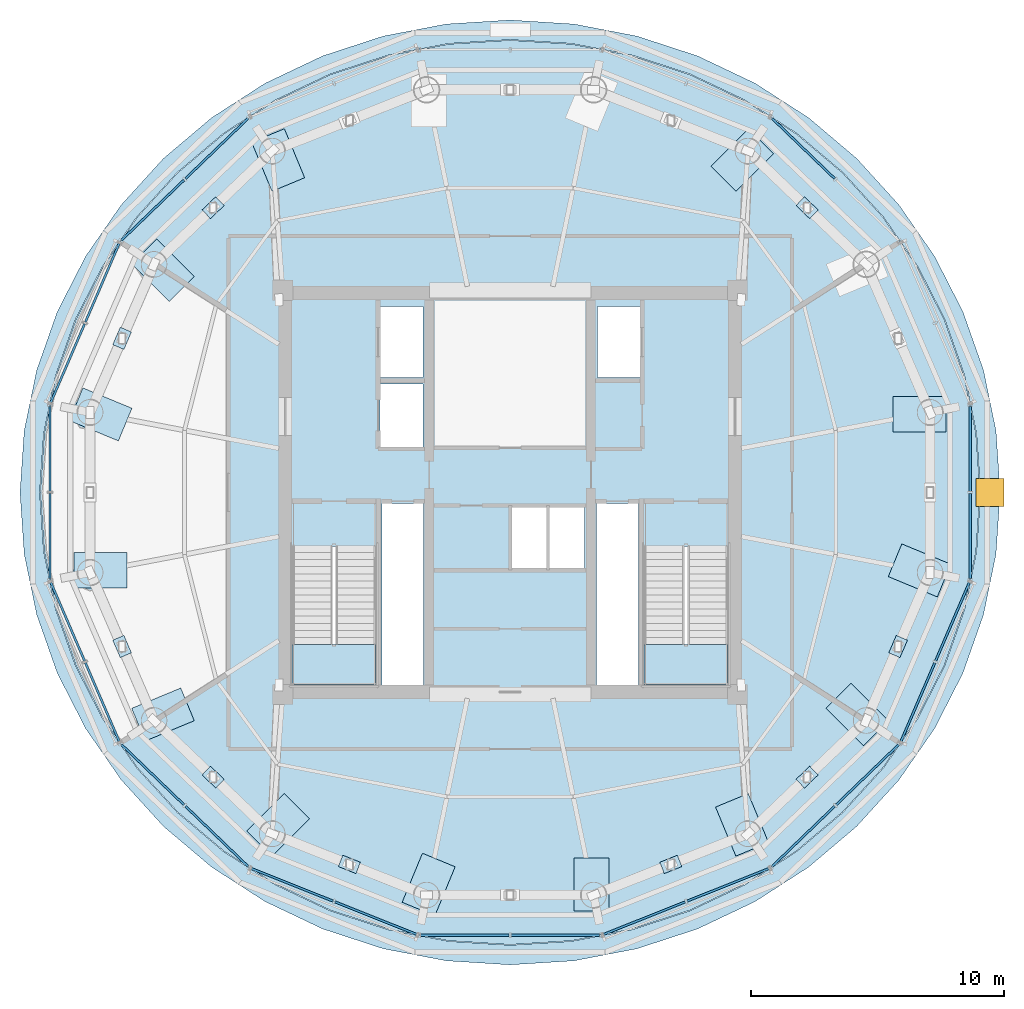
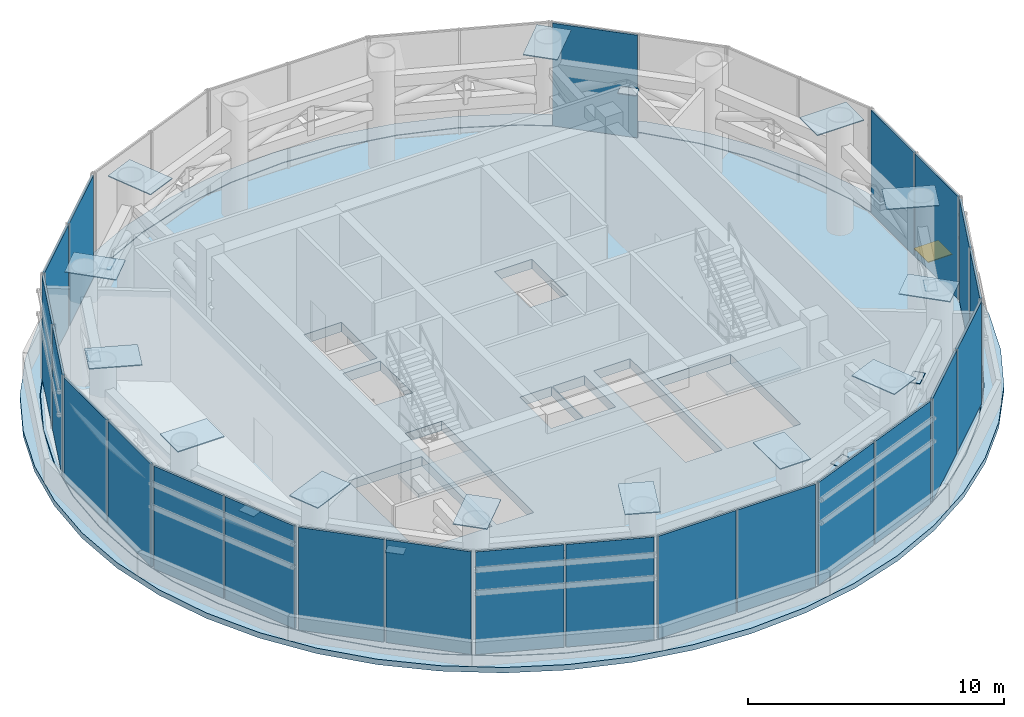
# One storey, part 15 of 21: 45 plates, 4 slabs, 1 door, 1 opening, 14 elements without a shape of their own.
"""IFC4 building model written with IfcOpenShell, lengths in metres."""

import ifcopenshell
import ifcopenshell.guid

model = None  # the IFC model being written
_history = None  # IfcOwnerHistory: only IFC2X3 demands one
_inside = {}  # id of a spatial element -> (the spatial element, [elements in it])
_under = {}  # id of a project, library or spatial element -> (it, [spatial elements below it])
_declared = {}  # id of a project -> (the project, [libraries it declares])
_typed = {}  # id of a type object -> (the type object, [elements of that type])
_made_of = {}  # id of a material, layer set ... -> (it, [elements and type objects made of it])


def new_model(schema):
    """Start an empty IFC model of exactly this schema.

    Asked for "IFC4X3", IfcOpenShell would pick the latest addendum, in which some entities
    have other attributes; the version numbers below select the first issue.
    IFC2X3 requires an IfcOwnerHistory on every rooted entity: one is made here for all.
    """
    global model, _history
    if schema == "IFC4X3":
        model = ifcopenshell.file(schema_version=(4, 3, 0, 0))
    else:
        model = ifcopenshell.file(schema=schema)
    _inside.clear()
    _under.clear()
    _declared.clear()
    _typed.clear()
    _made_of.clear()
    _history = None
    if model.schema == "IFC2X3":
        org = make("IfcOrganization", Name="unknown")
        user = make(
            "IfcPersonAndOrganization",
            ThePerson=make("IfcPerson", FamilyName="unknown"),
            TheOrganization=org,
        )
        app = make(
            "IfcApplication",
            ApplicationDeveloper=org,
            Version="unknown",
            ApplicationFullName="unknown",
            ApplicationIdentifier="unknown",
        )
        _history = make(
            "IfcOwnerHistory",
            OwningUser=user,
            OwningApplication=app,
            ChangeAction="ADDED",
            CreationDate=0,
        )
    return model


def make(cls, **values):
    """One entity of the class cls with the attributes given. An attribute that is None is left unset."""
    return model.create_entity(
        cls, **{name: value for name, value in values.items() if value is not None}
    )


def rooted(cls, **values):
    """An entity with a GlobalId (a new one), such as an element, a storey or a relation."""
    return make(cls, GlobalId=ifcopenshell.guid.new(), OwnerHistory=_history, **values)


def si_unit(unit_type, name, prefix=None):
    """IfcSIUnit, for example si_unit("LENGTHUNIT", "METRE", prefix="MILLI")."""
    return make("IfcSIUnit", UnitType=unit_type, Prefix=prefix, Name=name)


def assignment(units):
    """IfcUnitAssignment: the units of a project."""
    return None if units is None else make("IfcUnitAssignment", Units=units)


def point(xyz):
    """IfcCartesianPoint."""
    return None if xyz is None else make("IfcCartesianPoint", Coordinates=xyz)


def direction(xyz):
    """IfcDirection."""
    return None if xyz is None else make("IfcDirection", DirectionRatios=xyz)


def frame(location, z_axis=None, x_axis=None):
    """IfcAxis2Placement3D, a coordinate frame: its origin and axes. An axis left out is left unset."""
    return make(
        "IfcAxis2Placement3D",
        Location=point(location),
        Axis=direction(z_axis),
        RefDirection=direction(x_axis),
    )


def frame_2d(location, x_axis=None):
    """IfcAxis2Placement2D, a coordinate frame in the plane: its origin and x axis."""
    return make(
        "IfcAxis2Placement2D", Location=point(location), RefDirection=direction(x_axis)
    )


def origin():
    """The frame at (0, 0, 0) with its axes left unset."""
    return frame((0.0, 0.0, 0.0))


def origin_2d():
    """The frame at (0, 0) in the plane with its x axis left unset."""
    return frame_2d((0.0, 0.0))


def place(relative_to, where):
    """IfcLocalPlacement: puts the frame where relative to a parent placement (None: the world)."""
    return make(
        "IfcLocalPlacement", PlacementRelTo=relative_to, RelativePlacement=where
    )


def context(
    kind, dimensions, precision=None, world=None, true_north=None, identifier=None
):
    """IfcGeometricRepresentationContext, for example the 3D "Model" context."""
    return make(
        "IfcGeometricRepresentationContext",
        ContextIdentifier=identifier,
        ContextType=kind,
        CoordinateSpaceDimension=dimensions,
        Precision=precision,
        WorldCoordinateSystem=world,
        TrueNorth=true_north,
    )


def subcontext(parent, identifier, kind, view, scale=None):
    """IfcGeometricRepresentationSubContext, for example "Body" below "Model"."""
    return make(
        "IfcGeometricRepresentationSubContext",
        ContextIdentifier=identifier,
        ContextType=kind,
        ParentContext=parent,
        TargetScale=scale,
        TargetView=view,
    )


def project(units=None, contexts=None):
    """IfcProject with its units and contexts."""
    return rooted(
        "IfcProject",
        Name="project",
        RepresentationContexts=contexts,
        UnitsInContext=assignment(units),
    )


def spatial(cls, under=None, at=None, **own):
    """A site, building, storey or space (cls), placed at a placement, below another one or the project."""
    s = rooted(cls, ObjectPlacement=at, **own)
    if under is not None:
        _under.setdefault(under.id(), (under, []))[1].append(s)
    return s


def polyline(points):
    """IfcPolyline through the points."""
    return make("IfcPolyline", Points=[point(p) for p in points])


def profile(cls, at=None, kind="AREA", **sizes):
    """A parametric profile (cls). Its sizes go by their IFC names, for example OverallWidth=200.0."""
    return make(cls, ProfileType=kind, Position=at, **sizes)


def rectangle(**sizes):
    """IfcRectangleProfileDef."""
    return profile("IfcRectangleProfileDef", **sizes)


def outline(outer, holes=None, kind="AREA"):
    """IfcArbitraryClosedProfileDef: a profile drawn as a closed curve; with holes, ...WithVoids."""
    if holes is None:
        return make("IfcArbitraryClosedProfileDef", ProfileType=kind, OuterCurve=outer)
    return make(
        "IfcArbitraryProfileDefWithVoids",
        ProfileType=kind,
        OuterCurve=outer,
        InnerCurves=holes,
    )


def extrude(swept, where, along, depth):
    """IfcExtrudedAreaSolid: the profile swept, set in the frame where, extruded along a direction by depth."""
    return make(
        "IfcExtrudedAreaSolid",
        SweptArea=swept,
        Position=where,
        ExtrudedDirection=direction(along),
        Depth=depth,
    )


def shape(context_of_items, identifier, shape_type, items):
    """IfcShapeRepresentation: the items that make up one representation, for example the "Body"."""
    return make(
        "IfcShapeRepresentation",
        ContextOfItems=context_of_items,
        RepresentationIdentifier=identifier,
        RepresentationType=shape_type,
        Items=items,
    )


def source(mapping_origin, context_of_items, identifier, shape_type, items):
    """IfcRepresentationMap: a shape defined once, which mapped items show again and again."""
    return make(
        "IfcRepresentationMap",
        MappingOrigin=mapping_origin,
        MappedRepresentation=shape(context_of_items, identifier, shape_type, items),
    )


def transform(
    local_origin,
    x_axis=None,
    y_axis=None,
    z_axis=None,
    scale=None,
    scale2=None,
    scale3=None,
    uniform=True,
):
    """IfcCartesianTransformationOperator3D, or its non-uniform kind. x_axis, y_axis, z_axis: its Axis1, 2, 3."""
    if uniform:
        return make(
            "IfcCartesianTransformationOperator3D",
            Axis1=direction(x_axis),
            Axis2=direction(y_axis),
            LocalOrigin=point(local_origin),
            Scale=scale,
            Axis3=direction(z_axis),
        )
    return make(
        "IfcCartesianTransformationOperator3DnonUniform",
        Axis1=direction(x_axis),
        Axis2=direction(y_axis),
        LocalOrigin=point(local_origin),
        Scale=scale,
        Axis3=direction(z_axis),
        Scale2=scale2,
        Scale3=scale3,
    )


def mapped(mapping_source, mapping_target):
    """IfcMappedItem: shows the shape of a source again, moved by a transform."""
    return make(
        "IfcMappedItem", MappingSource=mapping_source, MappingTarget=mapping_target
    )


def material(Name=None, Category=None):
    """IfcMaterial."""
    return make("IfcMaterial", Name=Name, Category=Category)


def layer(
    of_material, thickness, ventilated=None, Name=None, Category=None, Priority=None
):
    """IfcMaterialLayer: one layer of a wall or slab, of a material (None: an air gap)."""
    return make(
        "IfcMaterialLayer",
        Material=of_material,
        LayerThickness=thickness,
        IsVentilated=ventilated,
        Name=Name,
        Category=Category,
        Priority=Priority,
    )


def layer_set(layers, Name=None):
    """IfcMaterialLayerSet."""
    return make("IfcMaterialLayerSet", MaterialLayers=layers, LayerSetName=Name)


def made_of(thing, what):
    """Note that an element or type object is made of a material, layer set ...; save() writes the relation."""
    if what is not None:
        _made_of.setdefault(what.id(), (what, []))[1].append(thing)
    return thing


def type_object(cls, material=None, **own):
    """A type object (cls), such as IfcWallType, which elements share."""
    return made_of(rooted(cls, **own), material)


def element(
    cls,
    number,
    at=None,
    inside=None,
    cuts=None,
    type_object=None,
    material=None,
    context=None,
    identifier="Body",
    shape_type=None,
    held_by="IfcProductDefinitionShape",
    body=None,
    shapes=None,
    **own,
):
    """One element of the class cls, such as IfcWall. Its Tag is "e" and its number.

    at: its placement. inside: the storey or other place that contains it. cuts: it is an
    opening in that element (IfcRelVoidsElement). A single representation is given by context,
    identifier, shape_type and body (its items); several are given by shapes. held_by: the class
    of the entity that holds the representations. save() writes the other relations.
    """
    e = rooted(cls, Tag="e%d" % number, ObjectPlacement=at, **own)
    if body is not None:
        shapes = [shape(context, identifier, shape_type, body)]
    if shapes is not None:
        e.Representation = make(held_by, Representations=shapes)
    if inside is not None:
        _inside.setdefault(inside.id(), (inside, []))[1].append(e)
    if cuts is not None:
        rooted(
            "IfcRelVoidsElement", RelatingBuildingElement=cuts, RelatedOpeningElement=e
        )
    if type_object is not None:
        _typed.setdefault(type_object.id(), (type_object, []))[1].append(e)
    return made_of(e, material)


def fill(opening, filler):
    """IfcRelFillsElement: the door or window that sits in an opening."""
    return rooted(
        "IfcRelFillsElement",
        RelatingOpeningElement=opening,
        RelatedBuildingElement=filler,
    )


def aggregate(whole, parts):
    """IfcRelAggregates: a whole, such as a stair, and the parts it consists of."""
    return rooted("IfcRelAggregates", RelatingObject=whole, RelatedObjects=parts)


def save(model, path):
    """Write the relations noted so far, then the file.

    IfcRelAggregates (storeys below a building ...), IfcRelContainedInSpatialStructure (elements
    in a storey), IfcRelDefinesByType, IfcRelAssociatesMaterial and IfcRelDeclares: one each for
    every whole, place, type object, material and project.
    """
    for whole, parts in _under.values():
        aggregate(whole, parts)
    for where, things in _inside.values():
        rooted(
            "IfcRelContainedInSpatialStructure",
            RelatedElements=things,
            RelatingStructure=where,
        )
    for kind, things in _typed.values():
        rooted("IfcRelDefinesByType", RelatedObjects=things, RelatingType=kind)
    for what, things in _made_of.values():
        rooted("IfcRelAssociatesMaterial", RelatedObjects=things, RelatingMaterial=what)
    for by, libraries in _declared.values():
        rooted("IfcRelDeclares", RelatingContext=by, RelatedDefinitions=libraries)
    model.write(path)


model = new_model("IFC4")

# Units and contexts
model_context = context("Model", 3, precision=1e-05, world=origin(), true_north=direction((-0.2419218956, 0.970295726276)))
body_context = subcontext(model_context, "Body", "Model", "MODEL_VIEW")
ifc_project = project(units=[si_unit("LENGTHUNIT", "METRE"), si_unit("AREAUNIT", "SQUARE_METRE"), si_unit("VOLUMEUNIT", "CUBIC_METRE"), si_unit("PLANEANGLEUNIT", "RADIAN"), si_unit("MASSUNIT", "GRAM", prefix="KILO")], contexts=[model_context])

# Site, building, storey
site_placement = place(None, origin())
site = spatial("IfcSite", under=ifc_project, at=site_placement, CompositionType="ELEMENT")
building_placement = place(site_placement, origin())
building = spatial("IfcBuilding", under=site, at=building_placement, Name="Cobrevalo Terracotta Tower", CompositionType="ELEMENT")
storey_placement = place(building_placement, frame((0.0, 0.0, 300.699951171875)))
storey = spatial("IfcBuildingStorey", under=building, at=storey_placement, Name="L79", CompositionType="ELEMENT", Elevation=300.699951171875)

# Stair, slab
ifc_material_1 = material(Name="Concrete C50", Category="concrete")
stair_type = type_object("IfcStairType", Name="Core protected escape dogleg stair 1600", PredefinedType="HALF_TURN_STAIR", material=ifc_material_1)
stair_1_placement = place(storey_placement, origin())
stair_1 = element("IfcStair", 1, at=stair_1_placement, inside=storey, type_object=stair_type, Name="L79 Protected exit stair ST-1", PredefinedType="HALF_TURN_STAIR")
ifc_layer_1 = layer(ifc_material_1, 0.199951171875)
ifc_layer_set_1 = layer_set([ifc_layer_1], Name="Concrete C50")
slab_type_1 = type_object("IfcSlabType", Name="Reinforced Concrete Stair Landing 200", PredefinedType="LANDING", material=ifc_layer_set_1)
slab_1_placement = place(storey_placement, frame((0.0, 0.0, 2.5)))
slab_1 = element("IfcSlab", 2, at=slab_1_placement, type_object=slab_type_1, Name="ST-1 landing 1", PredefinedType="LANDING", context=body_context, shape_type="SweptSolid", body=[
    extrude(outline(polyline([(29.375, 20.780029296875), (29.375, 19.175048828125), (32.695068359375, 19.175048828125), (32.695068359375, 20.780029296875), (29.375, 20.780029296875)])), origin(), (0.0, 0.0, 1.0), 0.199951171875),
])
aggregate(stair_1, [slab_1])

stair_2_placement = place(storey_placement, origin())
stair_2 = element("IfcStair", 3, at=stair_2_placement, inside=storey, type_object=stair_type, Name="L79 Protected exit stair ST-2", PredefinedType="HALF_TURN_STAIR")
slab_2_placement = place(storey_placement, frame((0.0, 0.0, 2.5)))
slab_2 = element("IfcSlab", 4, at=slab_2_placement, type_object=slab_type_1, Name="ST-2 landing 1", PredefinedType="LANDING", context=body_context, shape_type="SweptSolid", body=[
    extrude(outline(polyline([(43.304931640625, 20.780029296875), (43.304931640625, 19.175048828125), (46.625, 19.175048828125), (46.625, 20.780029296875), (43.304931640625, 20.780029296875)])), origin(), (0.0, 0.0, 1.0), 0.199951171875),
])
aggregate(stair_2, [slab_2])

# Slab
ifc_material_2 = material(Name="Concrete C55", Category="concrete")
ifc_layer_2 = layer(ifc_material_2, 0.449951171875)
ifc_layer_set_2 = layer_set([ifc_layer_2], Name="Concrete C55")
slab_type_2 = type_object("IfcSlabType", Name="Structural transfer deck slab 450 mm", PredefinedType="FLOOR", material=ifc_layer_set_2)
slab_3_placement = place(storey_placement, frame((0.0, 0.0, -0.449951171875)))
element("IfcSlab", 5, at=slab_3_placement, inside=storey, type_object=slab_type_2, Name="L79 indoor elliptical floor slab", PredefinedType="FLOOR", context=body_context, shape_type="SweptSolid", body=[
    extrude(outline(polyline([(56.44091796875, 24.463623046875), (55.96630859375, 22.167236328125), (55.18408203125, 19.949951171875), (54.108154296875, 17.85009765625), (52.75634765625, 15.903076171875), (51.152099609375, 14.142822265625), (49.322998046875, 12.598876953125), (47.300048828125, 11.298095703125), (45.117919921875, 10.262451171875), (42.81396484375, 9.510009765625), (40.427734375, 9.05322265625), (38.0, 8.89990234375), (35.572265625, 9.05322265625), (33.18603515625, 9.510009765625), (30.882080078125, 10.262451171875), (28.699951171875, 11.298095703125), (26.677001953125, 12.598876953125), (24.847900390625, 14.142822265625), (23.24365234375, 15.903076171875), (21.891845703125, 17.85009765625), (20.81591796875, 19.949951171875), (20.03369140625, 22.167236328125), (19.55908203125, 24.463623046875), (19.39990234375, 26.800048828125), (19.55908203125, 29.136474609375), (20.03369140625, 31.432861328125), (20.81591796875, 33.650146484375), (21.891845703125, 35.75), (23.24365234375, 37.69677734375), (24.847900390625, 39.457275390625), (26.677001953125, 41.0009765625), (28.699951171875, 42.3017578125), (30.882080078125, 43.33740234375), (33.18603515625, 44.090087890625), (35.572265625, 44.546875), (38.0, 44.699951171875), (40.427734375, 44.546875), (42.81396484375, 44.090087890625), (45.117919921875, 43.33740234375), (47.300048828125, 42.3017578125), (49.322998046875, 41.0009765625), (51.152099609375, 39.457275390625), (52.75634765625, 37.69677734375), (54.108154296875, 35.75), (55.18408203125, 33.650146484375), (55.96630859375, 31.432861328125), (56.44091796875, 29.136474609375), (56.60009765625, 26.800048828125), (56.44091796875, 24.463623046875)]), holes=[polyline([(32.695068359375, 19.175048828125), (32.695068359375, 24.659912109375), (29.375, 24.659912109375), (29.375, 19.175048828125), (32.695068359375, 19.175048828125)]), polyline([(46.625, 19.175048828125), (46.625, 24.659912109375), (43.304931640625, 24.659912109375), (43.304931640625, 19.175048828125), (46.625, 19.175048828125)]), polyline([(34.574951171875, 26.360107421875), (32.919921875, 26.360107421875), (32.919921875, 19.175048828125), (34.574951171875, 19.175048828125), (34.574951171875, 26.360107421875)]), polyline([(43.080078125, 26.360107421875), (41.425048828125, 26.360107421875), (41.425048828125, 19.175048828125), (43.080078125, 19.175048828125), (43.080078125, 26.360107421875)]), polyline([(39.469970703125, 26.25), (38.0400390625, 26.25), (38.0400390625, 23.800048828125), (39.469970703125, 23.800048828125), (39.469970703125, 26.25)]), polyline([(40.949951171875, 26.25), (39.52001953125, 26.25), (39.52001953125, 23.800048828125), (40.949951171875, 23.800048828125), (40.949951171875, 26.25)]), polyline([(34.550048828125, 31.10009765625), (32.85009765625, 31.10009765625), (32.85009765625, 28.60009765625), (34.550048828125, 28.60009765625), (34.550048828125, 31.10009765625)]), polyline([(34.550048828125, 31.35009765625), (34.550048828125, 34.14990234375), (32.85009765625, 34.14990234375), (32.85009765625, 31.35009765625), (34.550048828125, 31.35009765625)]), polyline([(43.14990234375, 31.35009765625), (43.14990234375, 34.14990234375), (41.449951171875, 34.14990234375), (41.449951171875, 31.35009765625), (43.14990234375, 31.35009765625)])]), origin(), (0.0, 0.0, 1.0), 0.449951171875),
])

# Slab, opening, door
ifc_material_3 = material(Name="Concrete C45", Category="concrete")
ifc_layer_3 = layer(ifc_material_3, 0.260009765625)
ifc_layer_set_3 = layer_set([ifc_layer_3], Name="Concrete C45")
slab_type_3 = type_object("IfcSlabType", Name="Zone setback structural roof slab 260 mm", PredefinedType="ROOF", material=ifc_layer_set_3)
slab_4_placement = place(storey_placement, frame((0.0, 0.0, -0.260009765625)))
slab_4 = element("IfcSlab", 6, at=slab_4_placement, inside=storey, type_object=slab_type_3, Name="L79 zone setback roof collar slab 1", PredefinedType="ROOF", context=body_context, shape_type="SweptSolid", body=[
    extrude(outline(polyline([(57.234130859375, 24.359130859375), (56.739013671875, 21.9599609375), (55.92333984375, 19.643798828125), (54.80078125, 17.449951171875), (53.39111328125, 15.416259765625), (51.7177734375, 13.5771484375), (49.81005859375, 11.96435546875), (47.699951171875, 10.605224609375), (45.424072265625, 9.5234375), (43.02099609375, 8.7373046875), (40.5322265625, 8.260009765625), (38.0, 8.10009765625), (35.4677734375, 8.260009765625), (32.97900390625, 8.7373046875), (30.575927734375, 9.5234375), (28.300048828125, 10.605224609375), (26.18994140625, 11.96435546875), (24.2822265625, 13.5771484375), (22.60888671875, 15.416259765625), (21.19921875, 17.449951171875), (20.07666015625, 19.643798828125), (19.260986328125, 21.9599609375), (18.765869140625, 24.359130859375), (18.60009765625, 26.800048828125), (18.765869140625, 29.24072265625), (19.260986328125, 31.639892578125), (20.07666015625, 33.956298828125), (21.19921875, 36.14990234375), (22.60888671875, 38.183837890625), (24.2822265625, 40.02294921875), (26.18994140625, 41.6357421875), (28.300048828125, 42.99462890625), (30.575927734375, 44.07666015625), (32.97900390625, 44.86279296875), (35.4677734375, 45.340087890625), (38.0, 45.5), (40.5322265625, 45.340087890625), (43.02099609375, 44.86279296875), (45.424072265625, 44.07666015625), (47.699951171875, 42.99462890625), (49.81005859375, 41.6357421875), (51.7177734375, 40.02294921875), (53.39111328125, 38.183837890625), (54.80078125, 36.14990234375), (55.92333984375, 33.956298828125), (56.739013671875, 31.639892578125), (57.234130859375, 29.24072265625), (57.39990234375, 26.800048828125), (57.234130859375, 24.359130859375)]), holes=[polyline([(56.460693359375, 29.138916015625), (55.985595703125, 31.43798828125), (55.20263671875, 33.65771484375), (54.12548828125, 35.760009765625), (52.772216796875, 37.708984375), (51.166259765625, 39.471435546875), (49.335205078125, 41.016845703125), (47.31005859375, 42.319091796875), (45.12548828125, 43.35595703125), (42.819091796875, 44.109375), (40.430419921875, 44.566650390625), (38.0, 44.719970703125), (35.569580078125, 44.566650390625), (33.180908203125, 44.109375), (30.87451171875, 43.35595703125), (28.68994140625, 42.319091796875), (26.664794921875, 41.016845703125), (24.833740234375, 39.471435546875), (23.227783203125, 37.708984375), (21.87451171875, 35.760009765625), (20.79736328125, 33.65771484375), (20.014404296875, 31.43798828125), (19.539306640625, 29.138916015625), (19.3798828125, 26.800048828125), (19.539306640625, 24.4609375), (20.014404296875, 22.161865234375), (20.79736328125, 19.9423828125), (21.87451171875, 17.840087890625), (23.227783203125, 15.89111328125), (24.833740234375, 14.128662109375), (26.664794921875, 12.5830078125), (28.68994140625, 11.28076171875), (30.87451171875, 10.244140625), (33.180908203125, 9.49072265625), (35.569580078125, 9.033203125), (38.0, 8.8798828125), (40.430419921875, 9.033203125), (42.819091796875, 9.49072265625), (45.12548828125, 10.244140625), (47.31005859375, 11.28076171875), (49.335205078125, 12.5830078125), (51.166259765625, 14.128662109375), (52.772216796875, 15.89111328125), (54.12548828125, 17.840087890625), (55.20263671875, 19.9423828125), (55.985595703125, 22.161865234375), (56.460693359375, 24.4609375), (56.6201171875, 26.800048828125), (56.460693359375, 29.138916015625)])]), origin(), (0.0, 0.0, 1.0), 0.260009765625),
])
opening_placement = place(slab_4_placement, frame((57.0, 26.800048828125, 0.0)))
opening = element("IfcOpeningElement", 7, at=opening_placement, cuts=slab_4, Name="Opening ED-04", PredefinedType="OPENING", context=body_context, shape_type="SweptSolid", body=[
    extrude(rectangle(XDim=1.10009765625, YDim=1.10009765625, at=origin_2d()), origin(), (0.0, 0.0, 1.0), 0.260009765625),
])
ifc_material_4 = material(Name="Galvanized powder-coated steel", Category="steel")
door_type = type_object("IfcDoorType", Name="Roof and overrun maintenance access hatch 1100x1100", OperationType="SINGLE_SWING_LEFT", PredefinedType="TRAPDOOR", material=ifc_material_4)
door_placement = place(opening_placement, frame((0.0, 0.0, 0.219970703125)))
door = element("IfcDoor", 8, at=door_placement, inside=storey, type_object=door_type, Name="L79 setback maintenance trapdoor hatch", OperationType="SINGLE_SWING_LEFT", OverallHeight=1.10009765625, OverallWidth=1.10009765625, PredefinedType="TRAPDOOR", context=body_context, shape_type="SweptSolid", body=[
    extrude(rectangle(XDim=1.10009765625, YDim=1.10009765625, at=origin_2d()), origin(), (0.0, 0.0, 1.0), 0.0400390625),
])
fill(opening, door)

# Plates
ifc_material_5 = material(Name="Steel S355", Category="steel")
ifc_layer_4 = layer(ifc_material_5, 0.044921875)
ifc_layer_set_4 = layer_set([ifc_layer_4], Name="Steel S355")
plate_type_1 = type_object("IfcPlateType", Name="Structural Cap Plate 2100x1400x45 (Steel S355)", PredefinedType="USERDEFINED", material=ifc_layer_set_4)
shared_shape_1 = source(origin(), body_context, "Body", "SweptSolid", [
    extrude(rectangle(XDim=2.10009765625, YDim=1.39990234375, at=origin_2d()), origin(), (0.0, 0.0, 1.0), 0.044921875),
])
for number, where, z_axis, x_axis, name in (
    (9, (54.20751953125, 29.88720703125, 5.377685546875), (0.0, 0.0, 1.0), (1.0, 0.0, 0.0), "L79 hollow end cap plate CAP-MCT-L79-01"),
    (10, (47.180908203125, 39.9580078125, 5.377685546875), (0.0, 0.0, 1.0), (0.707106781187, 0.707106781187, 0.0), "L79 hollow end cap plate CAP-MCT-L79-03"),
    (11, (28.819091796875, 39.9580078125, 5.377685546875), (0.0, 0.0, 1.0), (-0.382683432365, 0.923879532511, 0.0), "L79 hollow end cap plate CAP-MCT-L79-06"),
    (12, (24.260009765625, 35.591796875, 5.377685546875), (0.0, 0.0, 1.0), (-0.707106781187, 0.707106781187, 0.0), "L79 hollow end cap plate CAP-MCT-L79-07"),
    (13, (21.79248046875, 29.88720703125, 5.377685546875), (0.0, 0.0, 1.0), (-0.923879532511, 0.382683432365, 0.0), "L79 hollow end cap plate CAP-MCT-L79-08"),
    (14, (21.79248046875, 23.712646484375, 5.377685546875), (0.0, 0.0, 1.0), (-1.0, 0.0, 0.0), "L79 hollow end cap plate CAP-MCT-L79-09"),
    (15, (24.260009765625, 18.008056640625, 5.377685546875), (0.0, 0.0, 1.0), (-0.923879532511, -0.382683432365, 0.0), "L79 hollow end cap plate CAP-MCT-L79-10"),
    (16, (28.819091796875, 13.64208984375, 5.377685546875), (0.0, 0.0, 1.0), (-0.707106781187, -0.707106781187, 0.0), "L79 hollow end cap plate CAP-MCT-L79-11"),
    (17, (34.776123046875, 11.279052734375, 5.377685546875), (0.0, 0.0, 1.0), (-0.382683432365, -0.923879532511, 0.0), "L79 hollow end cap plate CAP-MCT-L79-12"),
    (18, (41.223876953125, 11.279052734375, 5.377685546875), (0.0, 0.0, 1.0), (0.0, -1.0, 0.0), "L79 hollow end cap plate CAP-MCT-L79-13"),
    (19, (47.180908203125, 13.64208984375, 5.377685546875), (0.0, 0.0, 1.0), (0.382683432365, -0.923879532511, 0.0), "L79 hollow end cap plate CAP-MCT-L79-14"),
    (20, (51.739990234375, 18.008056640625, 5.377685546875), (0.0, 0.0, 1.0), (0.707106781187, -0.707106781187, 0.0), "L79 hollow end cap plate CAP-MCT-L79-15"),
    (21, (54.20751953125, 23.712646484375, 5.377685546875), (0.0, 0.0, 1.0), (0.923879532511, -0.382683432365, 0.0), "L79 hollow end cap plate CAP-MCT-L79-16"),
):
    element("IfcPlate", number, at=place(storey_placement, frame(where, z_axis=z_axis, x_axis=x_axis)), inside=storey, type_object=plate_type_1, Name=name, ObjectType="CAP PLATE", PredefinedType="USERDEFINED", context=body_context, shape_type="MappedRepresentation", body=[
        mapped(shared_shape_1, transform((0.0, 0.0, 0.0), scale=1.0)),
    ])
ifc_layer_5 = layer(ifc_material_5, 0.031982421875)
ifc_layer_set_5 = layer_set([ifc_layer_5], Name="Steel S355")
plate_type_2 = type_object("IfcPlateType", Name="Structural Gusset Plate 750x480x32 (Steel S355)", PredefinedType="SHEET", material=ifc_layer_set_5)
shared_shape_2 = source(origin(), body_context, "Body", "SweptSolid", [
    extrude(rectangle(XDim=0.75, YDim=0.47998046875, at=origin_2d()), origin(), (0.0, 0.0, 1.0), 0.031982421875),
])
for number, where, z_axis, x_axis, name in (
    (22, (49.755126953125, 38.069580078125, 3.30908203125), (0.0, 0.0, 1.0), (-0.721855654638, 0.692043650262, 0.0), "L79 hollow end cap plate GUS-BT-L79-02"),
    (23, (26.244873046875, 38.069580078125, 3.30908203125), (0.0, 0.0, 1.0), (-0.721855654638, -0.692043650262, 0.0), "L79 hollow end cap plate GUS-BT-L79-06"),
    (24, (22.64111328125, 32.899169921875, 3.30908203125), (0.0, 0.0, 1.0), (-0.396620838256, -0.91798252198, 0.0), "L79 hollow end cap plate GUS-BT-L79-07"),
    (25, (22.64111328125, 20.700927734375, 3.30908203125), (0.0, 0.0, 1.0), (0.396620838256, -0.91798252198, 0.0), "L79 hollow end cap plate GUS-BT-L79-09"),
    (26, (26.244873046875, 15.5302734375, 3.30908203125), (0.0, 0.0, 1.0), (0.721855654638, -0.692043650262, 0.0), "L79 hollow end cap plate GUS-BT-L79-10"),
    (27, (31.63818359375, 12.075439453125, 3.30908203125), (0.0, 0.0, 1.0), (0.92940078382, -0.369072056697, 0.0), "L79 hollow end cap plate GUS-BT-L79-11"),
    (28, (44.36181640625, 12.075439453125, 3.30908203125), (0.0, 0.0, 1.0), (0.92940078382, 0.369072056697, 0.0), "L79 hollow end cap plate GUS-BT-L79-13"),
    (29, (49.755126953125, 15.5302734375, 3.30908203125), (0.0, 0.0, 1.0), (0.721855654638, 0.692043650262, 0.0), "L79 hollow end cap plate GUS-BT-L79-14"),
    (30, (53.35888671875, 20.700927734375, 3.30908203125), (0.0, 0.0, 1.0), (0.396620838256, 0.91798252198, 0.0), "L79 hollow end cap plate GUS-BT-L79-15"),
):
    element("IfcPlate", number, at=place(storey_placement, frame(where, z_axis=z_axis, x_axis=x_axis)), inside=storey, type_object=plate_type_2, Name=name, PredefinedType="SHEET", context=body_context, shape_type="MappedRepresentation", body=[
        mapped(shared_shape_2, transform((0.0, 0.0, 0.0), scale=1.0)),
    ])

# Curtain wall, plates
ifc_material_6 = material(Name="Anodized aluminium", Category="aluminium")
curtain_wall_type = type_object("IfcCurtainWallType", Name="Belt-truss plant acoustic weather-louvre curtain wall CW-LV", PredefinedType="NOTDEFINED", material=ifc_material_6)
curtain_wall_1_placement = place(storey_placement, origin())
curtain_wall_1 = element("IfcCurtainWall", 31, at=curtain_wall_1_placement, inside=storey, type_object=curtain_wall_type, Name="L79 curtain wall CW-LV-L79-S07", PredefinedType="NOTDEFINED")
ifc_material_7 = material(Name="Anodized aluminium weather louvre", Category="aluminium")
ifc_layer_6 = layer(ifc_material_7, 0.0849609375)
ifc_layer_set_6 = layer_set([ifc_layer_6], Name="Anodized aluminium weather louvre")
plate_type_3 = type_object("IfcPlateType", Name="Plant room acoustic weather-louvre cassette 85 mm", PredefinedType="USERDEFINED", material=ifc_layer_set_6)
shared_shape_3 = source(origin(), body_context, "Body", "SweptSolid", [
    extrude(rectangle(XDim=3.38671875, YDim=0.0849609375, at=origin_2d()), origin(), (0.0, 0.0, 1.0), 4.89990234375),
])
plate_1_placement = place(storey_placement, frame((21.8583984375, 35.09912109375, 0.0400390625), z_axis=(0.0, 0.0, 1.0), x_axis=(-0.395367563103, -0.918522993749, 0.0)))
plate_1 = element("IfcPlate", 32, at=plate_1_placement, type_object=plate_type_3, Name="CW-LV-L79-S07 acoustic louvre panel B01", ObjectType="LOUVRE_PANEL", PredefinedType="USERDEFINED", context=body_context, shape_type="MappedRepresentation", body=[
    mapped(shared_shape_3, transform((0.0, 0.0, 0.0), scale=1.0)),
])
plate_2_placement = place(storey_placement, frame((20.488037109375, 31.9150390625, 0.0400390625), z_axis=(0.0, 0.0, 1.0), x_axis=(-0.395367563103, -0.918522993749, 0.0)))
plate_2 = element("IfcPlate", 33, at=plate_2_placement, type_object=plate_type_3, Name="CW-LV-L79-S07 acoustic louvre panel B02", ObjectType="LOUVRE_PANEL", PredefinedType="USERDEFINED", context=body_context, shape_type="MappedRepresentation", body=[
    mapped(shared_shape_3, transform((0.0, 0.0, 0.0), scale=1.0)),
])
aggregate(curtain_wall_1, [plate_1, plate_2])

curtain_wall_2_placement = place(storey_placement, origin())
curtain_wall_2 = element("IfcCurtainWall", 34, at=curtain_wall_2_placement, inside=storey, type_object=curtain_wall_type, Name="L79 curtain wall CW-LV-L79-S09", PredefinedType="NOTDEFINED")
plate_3_placement = place(storey_placement, frame((20.488037109375, 21.684814453125, 0.0400390625), z_axis=(0.0, 0.0, 1.0), x_axis=(0.395367563103, -0.918522993749, 0.0)))
plate_3 = element("IfcPlate", 35, at=plate_3_placement, type_object=plate_type_3, Name="CW-LV-L79-S09 acoustic louvre panel B01", ObjectType="LOUVRE_PANEL", PredefinedType="USERDEFINED", context=body_context, shape_type="MappedRepresentation", body=[
    mapped(shared_shape_3, transform((0.0, 0.0, 0.0), scale=1.0)),
])
plate_4_placement = place(storey_placement, frame((21.8583984375, 18.500732421875, 0.0400390625), z_axis=(0.0, 0.0, 1.0), x_axis=(0.395367563103, -0.918522993749, 0.0)))
plate_4 = element("IfcPlate", 36, at=plate_4_placement, type_object=plate_type_3, Name="CW-LV-L79-S09 acoustic louvre panel B02", ObjectType="LOUVRE_PANEL", PredefinedType="USERDEFINED", context=body_context, shape_type="MappedRepresentation", body=[
    mapped(shared_shape_3, transform((0.0, 0.0, 0.0), scale=1.0)),
])
aggregate(curtain_wall_2, [plate_3, plate_4])

curtain_wall_3_placement = place(storey_placement, origin())
curtain_wall_3 = element("IfcCurtainWall", 37, at=curtain_wall_3_placement, inside=storey, type_object=curtain_wall_type, Name="L79 curtain wall CW-LV-L79-S15", PredefinedType="NOTDEFINED")
plate_5_placement = place(storey_placement, frame((54.1416015625, 18.500732421875, 0.0400390625), z_axis=(0.0, 0.0, 1.0), x_axis=(0.395367563103, 0.918522993749, 0.0)))
plate_5 = element("IfcPlate", 38, at=plate_5_placement, type_object=plate_type_3, Name="CW-LV-L79-S15 acoustic louvre panel B01", ObjectType="LOUVRE_PANEL", PredefinedType="USERDEFINED", context=body_context, shape_type="MappedRepresentation", body=[
    mapped(shared_shape_3, transform((0.0, 0.0, 0.0), scale=1.0)),
])
plate_6_placement = place(storey_placement, frame((55.511962890625, 21.684814453125, 0.0400390625), z_axis=(0.0, 0.0, 1.0), x_axis=(0.395367563103, 0.918522993749, 0.0)))
plate_6 = element("IfcPlate", 39, at=plate_6_placement, type_object=plate_type_3, Name="CW-LV-L79-S15 acoustic louvre panel B02", ObjectType="LOUVRE_PANEL", PredefinedType="USERDEFINED", context=body_context, shape_type="MappedRepresentation", body=[
    mapped(shared_shape_3, transform((0.0, 0.0, 0.0), scale=1.0)),
])
aggregate(curtain_wall_3, [plate_5, plate_6])

# Curtain wall, plate
curtain_wall_4_placement = place(storey_placement, origin())
curtain_wall_4 = element("IfcCurtainWall", 40, at=curtain_wall_4_placement, inside=storey, type_object=curtain_wall_type, Name="L79 curtain wall CW-LV-L79-S02", PredefinedType="NOTDEFINED")
shared_shape_4 = source(origin(), body_context, "Body", "SweptSolid", [
    extrude(rectangle(XDim=3.435302734375, YDim=0.0849609375, at=origin_2d()), origin(), (0.0, 0.0, 1.0), 4.89990234375),
])
plate_7_placement = place(storey_placement, frame((49.6123046875, 40.411865234375, 0.0400390625), z_axis=(0.0, 0.0, 1.0), x_axis=(-0.720557162725, 0.693395540255, 0.0)))
plate_7 = element("IfcPlate", 41, at=plate_7_placement, type_object=plate_type_3, Name="CW-LV-L79-S02 acoustic louvre panel B02", ObjectType="LOUVRE_PANEL", PredefinedType="USERDEFINED", context=body_context, shape_type="MappedRepresentation", body=[
    mapped(shared_shape_4, transform((0.0, 0.0, 0.0), scale=1.0)),
])
aggregate(curtain_wall_4, [plate_7])

# Curtain wall, plates
curtain_wall_5_placement = place(storey_placement, origin())
curtain_wall_5 = element("IfcCurtainWall", 42, at=curtain_wall_5_placement, inside=storey, type_object=curtain_wall_type, Name="L79 curtain wall CW-LV-L79-S06", PredefinedType="NOTDEFINED")
plate_8_placement = place(storey_placement, frame((26.3876953125, 40.411865234375, 0.0400390625), z_axis=(0.0, 0.0, 1.0), x_axis=(-0.720557162725, -0.693395540255, 0.0)))
plate_8 = element("IfcPlate", 43, at=plate_8_placement, type_object=plate_type_3, Name="CW-LV-L79-S06 acoustic louvre panel B01", ObjectType="LOUVRE_PANEL", PredefinedType="USERDEFINED", context=body_context, shape_type="MappedRepresentation", body=[
    mapped(shared_shape_4, transform((0.0, 0.0, 0.0), scale=1.0)),
])
plate_9_placement = place(storey_placement, frame((23.85498046875, 37.974609375, 0.0400390625), z_axis=(0.0, 0.0, 1.0), x_axis=(-0.720557162725, -0.693395540255, 0.0)))
plate_9 = element("IfcPlate", 44, at=plate_9_placement, type_object=plate_type_3, Name="CW-LV-L79-S06 acoustic louvre panel B02", ObjectType="LOUVRE_PANEL", PredefinedType="USERDEFINED", context=body_context, shape_type="MappedRepresentation", body=[
    mapped(shared_shape_4, transform((0.0, 0.0, 0.0), scale=1.0)),
])
aggregate(curtain_wall_5, [plate_8, plate_9])

curtain_wall_6_placement = place(storey_placement, origin())
curtain_wall_6 = element("IfcCurtainWall", 45, at=curtain_wall_6_placement, inside=storey, type_object=curtain_wall_type, Name="L79 curtain wall CW-LV-L79-S10", PredefinedType="NOTDEFINED")
plate_10_placement = place(storey_placement, frame((23.85498046875, 15.62548828125, 0.0400390625), z_axis=(0.0, 0.0, 1.0), x_axis=(0.720557162725, -0.693395540255, 0.0)))
plate_10 = element("IfcPlate", 46, at=plate_10_placement, type_object=plate_type_3, Name="CW-LV-L79-S10 acoustic louvre panel B01", ObjectType="LOUVRE_PANEL", PredefinedType="USERDEFINED", context=body_context, shape_type="MappedRepresentation", body=[
    mapped(shared_shape_4, transform((0.0, 0.0, 0.0), scale=1.0)),
])
plate_11_placement = place(storey_placement, frame((26.3876953125, 13.18798828125, 0.0400390625), z_axis=(0.0, 0.0, 1.0), x_axis=(0.720557162725, -0.693395540255, 0.0)))
plate_11 = element("IfcPlate", 47, at=plate_11_placement, type_object=plate_type_3, Name="CW-LV-L79-S10 acoustic louvre panel B02", ObjectType="LOUVRE_PANEL", PredefinedType="USERDEFINED", context=body_context, shape_type="MappedRepresentation", body=[
    mapped(shared_shape_4, transform((0.0, 0.0, 0.0), scale=1.0)),
])
aggregate(curtain_wall_6, [plate_10, plate_11])

curtain_wall_7_placement = place(storey_placement, origin())
curtain_wall_7 = element("IfcCurtainWall", 48, at=curtain_wall_7_placement, inside=storey, type_object=curtain_wall_type, Name="L79 curtain wall CW-LV-L79-S14", PredefinedType="NOTDEFINED")
plate_12_placement = place(storey_placement, frame((49.6123046875, 13.18798828125, 0.0400390625), z_axis=(0.0, 0.0, 1.0), x_axis=(0.720557162725, 0.693395540255, 0.0)))
plate_12 = element("IfcPlate", 49, at=plate_12_placement, type_object=plate_type_3, Name="CW-LV-L79-S14 acoustic louvre panel B01", ObjectType="LOUVRE_PANEL", PredefinedType="USERDEFINED", context=body_context, shape_type="MappedRepresentation", body=[
    mapped(shared_shape_4, transform((0.0, 0.0, 0.0), scale=1.0)),
])
plate_13_placement = place(storey_placement, frame((52.14501953125, 15.62548828125, 0.0400390625), z_axis=(0.0, 0.0, 1.0), x_axis=(0.720557162725, 0.693395540255, 0.0)))
plate_13 = element("IfcPlate", 50, at=plate_13_placement, type_object=plate_type_3, Name="CW-LV-L79-S14 acoustic louvre panel B02", ObjectType="LOUVRE_PANEL", PredefinedType="USERDEFINED", context=body_context, shape_type="MappedRepresentation", body=[
    mapped(shared_shape_4, transform((0.0, 0.0, 0.0), scale=1.0)),
])
aggregate(curtain_wall_7, [plate_12, plate_13])

curtain_wall_8_placement = place(storey_placement, origin())
curtain_wall_8 = element("IfcCurtainWall", 51, at=curtain_wall_8_placement, inside=storey, type_object=curtain_wall_type, Name="L79 curtain wall CW-LV-L79-S11", PredefinedType="NOTDEFINED")
shared_shape_5 = source(origin(), body_context, "Body", "SweptSolid", [
    extrude(rectangle(XDim=3.483154296875, YDim=0.0849609375, at=origin_2d()), origin(), (0.0, 0.0, 1.0), 4.89990234375),
])
plate_14_placement = place(storey_placement, frame((29.375244140625, 11.26708984375, 0.0400390625), z_axis=(0.0, 0.0, 1.0), x_axis=(0.928924628611, -0.370268867662, 0.0)))
plate_14 = element("IfcPlate", 52, at=plate_14_placement, type_object=plate_type_3, Name="CW-LV-L79-S11 acoustic louvre panel B01", ObjectType="LOUVRE_PANEL", PredefinedType="USERDEFINED", context=body_context, shape_type="MappedRepresentation", body=[
    mapped(shared_shape_5, transform((0.0, 0.0, 0.0), scale=1.0)),
])
plate_15_placement = place(storey_placement, frame((32.68505859375, 9.94775390625, 0.0400390625), z_axis=(0.0, 0.0, 1.0), x_axis=(0.928924628611, -0.370268867662, 0.0)))
plate_15 = element("IfcPlate", 53, at=plate_15_placement, type_object=plate_type_3, Name="CW-LV-L79-S11 acoustic louvre panel B02", ObjectType="LOUVRE_PANEL", PredefinedType="USERDEFINED", context=body_context, shape_type="MappedRepresentation", body=[
    mapped(shared_shape_5, transform((0.0, 0.0, 0.0), scale=1.0)),
])
aggregate(curtain_wall_8, [plate_14, plate_15])

curtain_wall_9_placement = place(storey_placement, origin())
curtain_wall_9 = element("IfcCurtainWall", 54, at=curtain_wall_9_placement, inside=storey, type_object=curtain_wall_type, Name="L79 curtain wall CW-LV-L79-S13", PredefinedType="NOTDEFINED")
plate_16_placement = place(storey_placement, frame((43.31494140625, 9.94775390625, 0.0400390625), z_axis=(0.0, 0.0, 1.0), x_axis=(0.928924628611, 0.370268867662, 0.0)))
plate_16 = element("IfcPlate", 55, at=plate_16_placement, type_object=plate_type_3, Name="CW-LV-L79-S13 acoustic louvre panel B01", ObjectType="LOUVRE_PANEL", PredefinedType="USERDEFINED", context=body_context, shape_type="MappedRepresentation", body=[
    mapped(shared_shape_5, transform((0.0, 0.0, 0.0), scale=1.0)),
])
plate_17_placement = place(storey_placement, frame((46.624755859375, 11.26708984375, 0.0400390625), z_axis=(0.0, 0.0, 1.0), x_axis=(0.928924628611, 0.370268867662, 0.0)))
plate_17 = element("IfcPlate", 56, at=plate_17_placement, type_object=plate_type_3, Name="CW-LV-L79-S13 acoustic louvre panel B02", ObjectType="LOUVRE_PANEL", PredefinedType="USERDEFINED", context=body_context, shape_type="MappedRepresentation", body=[
    mapped(shared_shape_5, transform((0.0, 0.0, 0.0), scale=1.0)),
])
aggregate(curtain_wall_9, [plate_16, plate_17])

curtain_wall_10_placement = place(storey_placement, origin())
curtain_wall_10 = element("IfcCurtainWall", 57, at=curtain_wall_10_placement, inside=storey, type_object=curtain_wall_type, Name="L79 curtain wall CW-LV-L79-S12", PredefinedType="NOTDEFINED")
shared_shape_6 = source(origin(), body_context, "Body", "SweptSolid", [
    extrude(rectangle(XDim=3.502685546875, YDim=0.0849609375, at=origin_2d()), origin(), (0.0, 0.0, 1.0), 4.89990234375),
])
plate_18_placement = place(storey_placement, frame((36.20849609375, 9.2734375, 0.0400390625), z_axis=(0.0, 0.0, 1.0), x_axis=(1.0, 0.0, 0.0)))
plate_18 = element("IfcPlate", 58, at=plate_18_placement, type_object=plate_type_3, Name="CW-LV-L79-S12 acoustic louvre panel B01", ObjectType="LOUVRE_PANEL", PredefinedType="USERDEFINED", context=body_context, shape_type="MappedRepresentation", body=[
    mapped(shared_shape_6, transform((0.0, 0.0, 0.0), scale=1.0)),
])
plate_19_placement = place(storey_placement, frame((39.79150390625, 9.2734375, 0.0400390625), z_axis=(0.0, 0.0, 1.0), x_axis=(1.0, 0.0, 0.0)))
plate_19 = element("IfcPlate", 59, at=plate_19_placement, type_object=plate_type_3, Name="CW-LV-L79-S12 acoustic louvre panel B02", ObjectType="LOUVRE_PANEL", PredefinedType="USERDEFINED", context=body_context, shape_type="MappedRepresentation", body=[
    mapped(shared_shape_6, transform((0.0, 0.0, 0.0), scale=1.0)),
])
aggregate(curtain_wall_10, [plate_18, plate_19])

curtain_wall_11_placement = place(storey_placement, origin())
curtain_wall_11 = element("IfcCurtainWall", 60, at=curtain_wall_11_placement, inside=storey, type_object=curtain_wall_type, Name="L79 curtain wall CW-LV-L79-S08", PredefinedType="NOTDEFINED")
shared_shape_7 = source(origin(), body_context, "Body", "SweptSolid", [
    extrude(rectangle(XDim=3.3662109375, YDim=0.0849609375, at=origin_2d()), origin(), (0.0, 0.0, 1.0), 4.89990234375),
])
plate_20_placement = place(storey_placement, frame((19.786865234375, 28.523193359375, 0.0400390625), z_axis=(0.0, 0.0, 1.0), x_axis=(0.0, -1.0, 0.0)))
plate_20 = element("IfcPlate", 61, at=plate_20_placement, type_object=plate_type_3, Name="CW-LV-L79-S08 acoustic louvre panel B01", ObjectType="LOUVRE_PANEL", PredefinedType="USERDEFINED", context=body_context, shape_type="MappedRepresentation", body=[
    mapped(shared_shape_7, transform((0.0, 0.0, 0.0), scale=1.0)),
])
plate_21_placement = place(storey_placement, frame((19.786865234375, 25.076904296875, 0.0400390625), z_axis=(0.0, 0.0, 1.0), x_axis=(0.0, -1.0, 0.0)))
plate_21 = element("IfcPlate", 62, at=plate_21_placement, type_object=plate_type_3, Name="CW-LV-L79-S08 acoustic louvre panel B02", ObjectType="LOUVRE_PANEL", PredefinedType="USERDEFINED", context=body_context, shape_type="MappedRepresentation", body=[
    mapped(shared_shape_7, transform((0.0, 0.0, 0.0), scale=1.0)),
])
aggregate(curtain_wall_11, [plate_20, plate_21])

curtain_wall_12_placement = place(storey_placement, origin())
curtain_wall_12 = element("IfcCurtainWall", 63, at=curtain_wall_12_placement, inside=storey, type_object=curtain_wall_type, Name="L79 curtain wall CW-LV-L79-S16", PredefinedType="NOTDEFINED")
plate_22_placement = place(storey_placement, frame((56.213134765625, 25.076904296875, 0.0400390625), z_axis=(0.0, 0.0, 1.0), x_axis=(0.0, 1.0, 0.0)))
plate_22 = element("IfcPlate", 64, at=plate_22_placement, type_object=plate_type_3, Name="CW-LV-L79-S16 acoustic louvre panel B01", ObjectType="LOUVRE_PANEL", PredefinedType="USERDEFINED", context=body_context, shape_type="MappedRepresentation", body=[
    mapped(shared_shape_7, transform((0.0, 0.0, 0.0), scale=1.0)),
])
plate_23_placement = place(storey_placement, frame((56.213134765625, 28.523193359375, 0.0400390625), z_axis=(0.0, 0.0, 1.0), x_axis=(0.0, 1.0, 0.0)))
plate_23 = element("IfcPlate", 65, at=plate_23_placement, type_object=plate_type_3, Name="CW-LV-L79-S16 acoustic louvre panel B02", ObjectType="LOUVRE_PANEL", PredefinedType="USERDEFINED", context=body_context, shape_type="MappedRepresentation", body=[
    mapped(shared_shape_7, transform((0.0, 0.0, 0.0), scale=1.0)),
])
aggregate(curtain_wall_12, [plate_22, plate_23])

save(model, "model.ifc")
